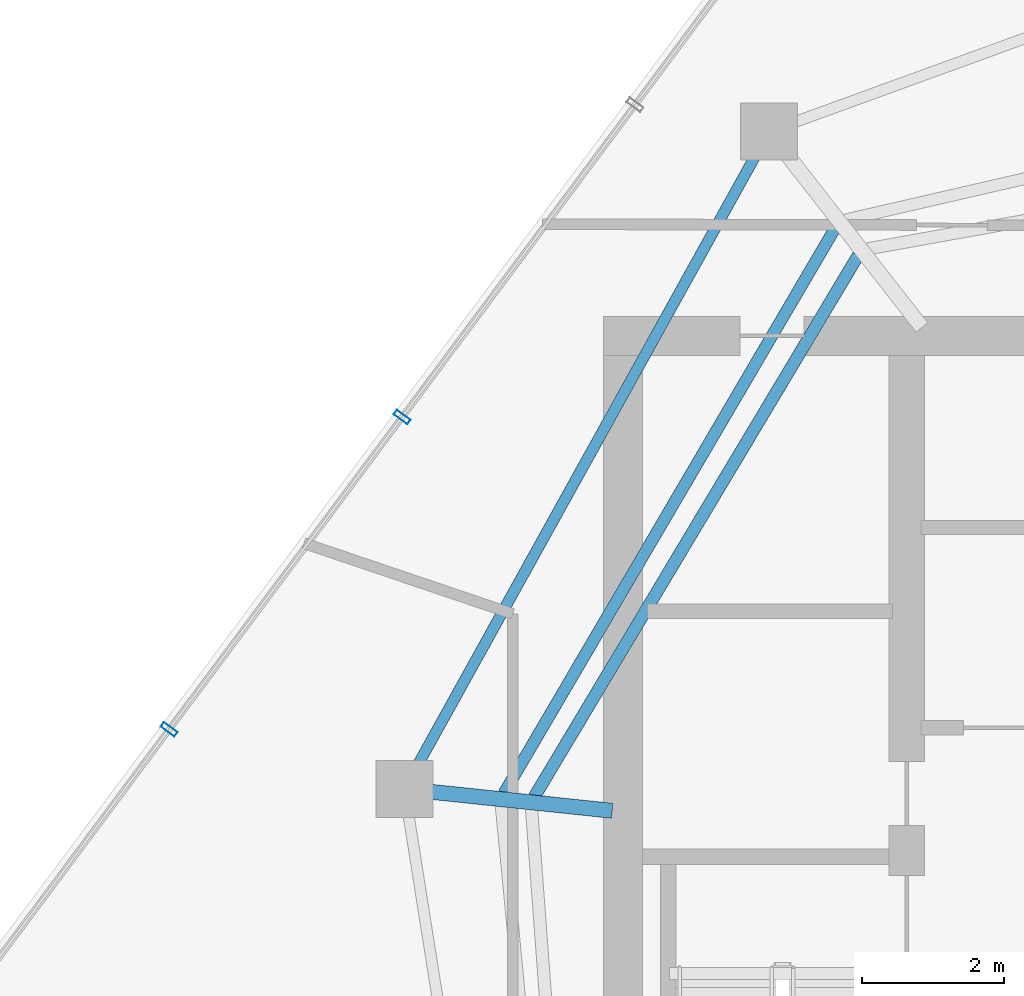
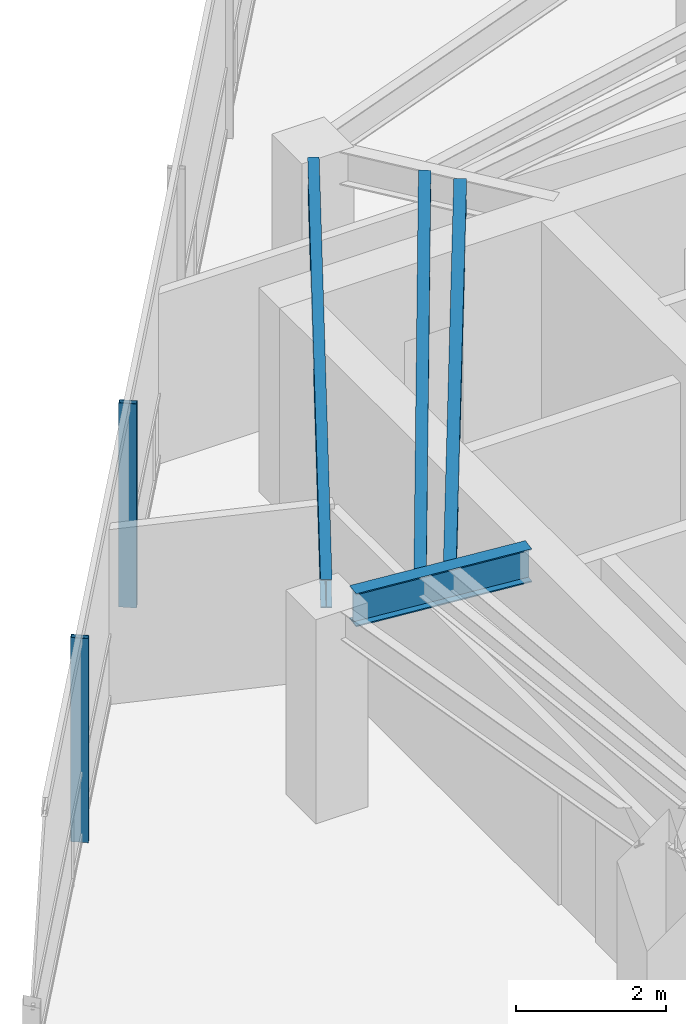
# One storey, part 6 of 18: 4 beams, 2 members, 1 element without a shape of its own.
"""IFC4 building model written with IfcOpenShell, lengths in metres."""

import ifcopenshell
import ifcopenshell.guid

model = None  # the IFC model being written
_history = None  # IfcOwnerHistory: only IFC2X3 demands one
_inside = {}  # id of a spatial element -> (the spatial element, [elements in it])
_under = {}  # id of a project, library or spatial element -> (it, [spatial elements below it])
_declared = {}  # id of a project -> (the project, [libraries it declares])
_typed = {}  # id of a type object -> (the type object, [elements of that type])
_made_of = {}  # id of a material, layer set ... -> (it, [elements and type objects made of it])


def new_model(schema):
    """Start an empty IFC model of exactly this schema.

    Asked for "IFC4X3", IfcOpenShell would pick the latest addendum, in which some entities
    have other attributes; the version numbers below select the first issue.
    IFC2X3 requires an IfcOwnerHistory on every rooted entity: one is made here for all.
    """
    global model, _history
    if schema == "IFC4X3":
        model = ifcopenshell.file(schema_version=(4, 3, 0, 0))
    else:
        model = ifcopenshell.file(schema=schema)
    _inside.clear()
    _under.clear()
    _declared.clear()
    _typed.clear()
    _made_of.clear()
    _history = None
    if model.schema == "IFC2X3":
        org = make("IfcOrganization", Name="unknown")
        user = make(
            "IfcPersonAndOrganization",
            ThePerson=make("IfcPerson", FamilyName="unknown"),
            TheOrganization=org,
        )
        app = make(
            "IfcApplication",
            ApplicationDeveloper=org,
            Version="unknown",
            ApplicationFullName="unknown",
            ApplicationIdentifier="unknown",
        )
        _history = make(
            "IfcOwnerHistory",
            OwningUser=user,
            OwningApplication=app,
            ChangeAction="ADDED",
            CreationDate=0,
        )
    return model


def make(cls, **values):
    """One entity of the class cls with the attributes given. An attribute that is None is left unset."""
    return model.create_entity(
        cls, **{name: value for name, value in values.items() if value is not None}
    )


def rooted(cls, **values):
    """An entity with a GlobalId (a new one), such as an element, a storey or a relation."""
    return make(cls, GlobalId=ifcopenshell.guid.new(), OwnerHistory=_history, **values)


def si_unit(unit_type, name, prefix=None):
    """IfcSIUnit, for example si_unit("LENGTHUNIT", "METRE", prefix="MILLI")."""
    return make("IfcSIUnit", UnitType=unit_type, Prefix=prefix, Name=name)


def assignment(units):
    """IfcUnitAssignment: the units of a project."""
    return None if units is None else make("IfcUnitAssignment", Units=units)


def point(xyz):
    """IfcCartesianPoint."""
    return None if xyz is None else make("IfcCartesianPoint", Coordinates=xyz)


def direction(xyz):
    """IfcDirection."""
    return None if xyz is None else make("IfcDirection", DirectionRatios=xyz)


def frame(location, z_axis=None, x_axis=None):
    """IfcAxis2Placement3D, a coordinate frame: its origin and axes. An axis left out is left unset."""
    return make(
        "IfcAxis2Placement3D",
        Location=point(location),
        Axis=direction(z_axis),
        RefDirection=direction(x_axis),
    )


def frame_2d(location, x_axis=None):
    """IfcAxis2Placement2D, a coordinate frame in the plane: its origin and x axis."""
    return make(
        "IfcAxis2Placement2D", Location=point(location), RefDirection=direction(x_axis)
    )


def origin():
    """The frame at (0, 0, 0) with its axes left unset."""
    return frame((0.0, 0.0, 0.0))


def origin_2d():
    """The frame at (0, 0) in the plane with its x axis left unset."""
    return frame_2d((0.0, 0.0))


def place(relative_to, where):
    """IfcLocalPlacement: puts the frame where relative to a parent placement (None: the world)."""
    return make(
        "IfcLocalPlacement", PlacementRelTo=relative_to, RelativePlacement=where
    )


def context(
    kind, dimensions, precision=None, world=None, true_north=None, identifier=None
):
    """IfcGeometricRepresentationContext, for example the 3D "Model" context."""
    return make(
        "IfcGeometricRepresentationContext",
        ContextIdentifier=identifier,
        ContextType=kind,
        CoordinateSpaceDimension=dimensions,
        Precision=precision,
        WorldCoordinateSystem=world,
        TrueNorth=true_north,
    )


def subcontext(parent, identifier, kind, view, scale=None):
    """IfcGeometricRepresentationSubContext, for example "Body" below "Model"."""
    return make(
        "IfcGeometricRepresentationSubContext",
        ContextIdentifier=identifier,
        ContextType=kind,
        ParentContext=parent,
        TargetScale=scale,
        TargetView=view,
    )


def project(units=None, contexts=None):
    """IfcProject with its units and contexts."""
    return rooted(
        "IfcProject",
        Name="project",
        RepresentationContexts=contexts,
        UnitsInContext=assignment(units),
    )


def spatial(cls, under=None, at=None, **own):
    """A site, building, storey or space (cls), placed at a placement, below another one or the project."""
    s = rooted(cls, ObjectPlacement=at, **own)
    if under is not None:
        _under.setdefault(under.id(), (under, []))[1].append(s)
    return s


def profile(cls, at=None, kind="AREA", **sizes):
    """A parametric profile (cls). Its sizes go by their IFC names, for example OverallWidth=200.0."""
    return make(cls, ProfileType=kind, Position=at, **sizes)


def hollow_rectangle(**sizes):
    """IfcRectangleHollowProfileDef."""
    return profile("IfcRectangleHollowProfileDef", **sizes)


def i_section(**sizes):
    """IfcIShapeProfileDef."""
    return profile("IfcIShapeProfileDef", **sizes)


def extrude(swept, where, along, depth):
    """IfcExtrudedAreaSolid: the profile swept, set in the frame where, extruded along a direction by depth."""
    return make(
        "IfcExtrudedAreaSolid",
        SweptArea=swept,
        Position=where,
        ExtrudedDirection=direction(along),
        Depth=depth,
    )


def shape(context_of_items, identifier, shape_type, items):
    """IfcShapeRepresentation: the items that make up one representation, for example the "Body"."""
    return make(
        "IfcShapeRepresentation",
        ContextOfItems=context_of_items,
        RepresentationIdentifier=identifier,
        RepresentationType=shape_type,
        Items=items,
    )


def material(Name=None, Category=None):
    """IfcMaterial."""
    return make("IfcMaterial", Name=Name, Category=Category)


def layer(
    of_material, thickness, ventilated=None, Name=None, Category=None, Priority=None
):
    """IfcMaterialLayer: one layer of a wall or slab, of a material (None: an air gap)."""
    return make(
        "IfcMaterialLayer",
        Material=of_material,
        LayerThickness=thickness,
        IsVentilated=ventilated,
        Name=Name,
        Category=Category,
        Priority=Priority,
    )


def layer_set(layers, Name=None):
    """IfcMaterialLayerSet."""
    return make("IfcMaterialLayerSet", MaterialLayers=layers, LayerSetName=Name)


def material_profile(
    of_material, cross_section, Name=None, Category=None, Priority=None
):
    """IfcMaterialProfile: a cross section and its material."""
    return make(
        "IfcMaterialProfile",
        Name=Name,
        Material=of_material,
        Profile=cross_section,
        Priority=Priority,
        Category=Category,
    )


def profile_set(profiles, Name=None, composite=None):
    """IfcMaterialProfileSet."""
    return make(
        "IfcMaterialProfileSet",
        Name=Name,
        MaterialProfiles=profiles,
        CompositeProfile=composite,
    )


def made_of(thing, what):
    """Note that an element or type object is made of a material, layer set ...; save() writes the relation."""
    if what is not None:
        _made_of.setdefault(what.id(), (what, []))[1].append(thing)
    return thing


def type_object(cls, material=None, **own):
    """A type object (cls), such as IfcWallType, which elements share."""
    return made_of(rooted(cls, **own), material)


def element(
    cls,
    number,
    at=None,
    inside=None,
    cuts=None,
    type_object=None,
    material=None,
    context=None,
    identifier="Body",
    shape_type=None,
    held_by="IfcProductDefinitionShape",
    body=None,
    shapes=None,
    **own,
):
    """One element of the class cls, such as IfcWall. Its Tag is "e" and its number.

    at: its placement. inside: the storey or other place that contains it. cuts: it is an
    opening in that element (IfcRelVoidsElement). A single representation is given by context,
    identifier, shape_type and body (its items); several are given by shapes. held_by: the class
    of the entity that holds the representations. save() writes the other relations.
    """
    e = rooted(cls, Tag="e%d" % number, ObjectPlacement=at, **own)
    if body is not None:
        shapes = [shape(context, identifier, shape_type, body)]
    if shapes is not None:
        e.Representation = make(held_by, Representations=shapes)
    if inside is not None:
        _inside.setdefault(inside.id(), (inside, []))[1].append(e)
    if cuts is not None:
        rooted(
            "IfcRelVoidsElement", RelatingBuildingElement=cuts, RelatedOpeningElement=e
        )
    if type_object is not None:
        _typed.setdefault(type_object.id(), (type_object, []))[1].append(e)
    return made_of(e, material)


def aggregate(whole, parts):
    """IfcRelAggregates: a whole, such as a stair, and the parts it consists of."""
    return rooted("IfcRelAggregates", RelatingObject=whole, RelatedObjects=parts)


def save(model, path):
    """Write the relations noted so far, then the file.

    IfcRelAggregates (storeys below a building ...), IfcRelContainedInSpatialStructure (elements
    in a storey), IfcRelDefinesByType, IfcRelAssociatesMaterial and IfcRelDeclares: one each for
    every whole, place, type object, material and project.
    """
    for whole, parts in _under.values():
        aggregate(whole, parts)
    for where, things in _inside.values():
        rooted(
            "IfcRelContainedInSpatialStructure",
            RelatedElements=things,
            RelatingStructure=where,
        )
    for kind, things in _typed.values():
        rooted("IfcRelDefinesByType", RelatedObjects=things, RelatingType=kind)
    for what, things in _made_of.values():
        rooted("IfcRelAssociatesMaterial", RelatedObjects=things, RelatingMaterial=what)
    for by, libraries in _declared.values():
        rooted("IfcRelDeclares", RelatingContext=by, RelatedDefinitions=libraries)
    model.write(path)


model = new_model("IFC4")

# Units and contexts
model_context = context("Model", 3, precision=1e-05, world=origin(), true_north=direction((0.0, 1.0)))
body_context = subcontext(model_context, "Body", "Model", "MODEL_VIEW")
ifc_project = project(units=[si_unit("LENGTHUNIT", "METRE"), si_unit("AREAUNIT", "SQUARE_METRE"), si_unit("VOLUMEUNIT", "CUBIC_METRE"), si_unit("PLANEANGLEUNIT", "RADIAN"), si_unit("MASSUNIT", "GRAM", prefix="KILO")], contexts=[model_context])

# Site, building, storey
site_placement = place(None, origin())
site = spatial("IfcSite", under=ifc_project, at=site_placement, CompositionType="ELEMENT")
building_placement = place(site_placement, origin())
building = spatial("IfcBuilding", under=site, at=building_placement, Name="Qarnah Convention Tower", CompositionType="ELEMENT")
storey_placement = place(building_placement, frame((0.0, 0.0, 267.89990234375)))
storey = spatial("IfcBuildingStorey", under=building, at=storey_placement, Name="L72", CompositionType="ELEMENT", Elevation=267.89990234375)

# Beams
ifc_material_1 = material(Name="Structural steel S355JR", Category="steel")
ifc_material_profile_1 = material_profile(ifc_material_1, i_section(OverallWidth=0.166015625, OverallDepth=0.31201171875, WebThickness=0.007080078125, FlangeThickness=0.010986328125, at=origin_2d()), Name="W310X45")
ifc_profile_set_1 = profile_set([ifc_material_profile_1], Name="Structural steel S355JR")
beam_type_1 = type_object("IfcBeamType", Name="BM-JST-W310", PredefinedType="JOIST", material=ifc_profile_set_1)
beam_1_placement = place(storey_placement, frame((29.801025390625, 35.73388671875, 3.1640625), z_axis=(-0.505632134477, -0.862749178258, 0.0), x_axis=(0.862749178258, -0.505632134477, 0.0)))
element("IfcBeam", 1, at=beam_1_placement, inside=storey, type_object=beam_type_1, Name="L72 joist BM-L72-SJST-04", PredefinedType="JOIST", context=body_context, shape_type="SweptSolid", body=[
    extrude(i_section(OverallWidth=0.166015625, OverallDepth=0.31201171875, WebThickness=0.007080078125, FlangeThickness=0.010986328125, at=origin_2d()), origin(), (0.0, 0.0, 1.0), 9.251708984375),
])
ifc_material_profile_2 = material_profile(ifc_material_1, i_section(OverallWidth=0.172119140625, OverallDepth=0.35595703125, WebThickness=0.007080078125, FlangeThickness=0.011962890625, at=origin_2d()), Name="W360X51")
ifc_profile_set_2 = profile_set([ifc_material_profile_2], Name="Structural steel S355JR")
beam_type_2 = type_object("IfcBeamType", Name="BM-JST-W360", PredefinedType="JOIST", material=ifc_profile_set_2)
beam_2_placement = place(storey_placement, frame((30.115966796875, 35.33203125, 3.14208984375), z_axis=(-0.513372127696, -0.858166101932, 0.0), x_axis=(0.858166101932, -0.513372127696, 0.0)))
element("IfcBeam", 2, at=beam_2_placement, inside=storey, type_object=beam_type_2, Name="L72 joist BM-L72-IJST-04", PredefinedType="JOIST", context=body_context, shape_type="SweptSolid", body=[
    extrude(i_section(OverallWidth=0.172119140625, OverallDepth=0.35595703125, WebThickness=0.007080078125, FlangeThickness=0.011962890625, at=origin_2d()), origin(), (0.0, 0.0, 1.0), 8.886474609375),
])
ifc_material_profile_3 = material_profile(ifc_material_1, i_section(OverallWidth=0.2119140625, OverallDepth=0.5400390625, WebThickness=0.011962890625, FlangeThickness=0.01904296875, at=origin_2d()), Name="W530X109")
ifc_profile_set_3 = profile_set([ifc_material_profile_3], Name="Structural steel S355JR")
beam_type_3 = type_object("IfcBeamType", Name="BM-RAD-W530A", PredefinedType="BEAM", material=ifc_profile_set_3)
beam_3_placement = place(storey_placement, frame((26.65087890625, 27.509033203125, 3.050048828125), z_axis=(-0.994564280912, 0.104124402207, 0.0), x_axis=(-0.104124402207, -0.994564280912, 0.0)))
element("IfcBeam", 3, at=beam_3_placement, inside=storey, type_object=beam_type_3, Name="L72 beam BM-L72-RAD-05", PredefinedType="BEAM", context=body_context, shape_type="SweptSolid", body=[
    extrude(i_section(OverallWidth=0.2119140625, OverallDepth=0.5400390625, WebThickness=0.011962890625, FlangeThickness=0.01904296875, at=origin_2d()), origin(), (0.0, 0.0, 1.0), 2.562744140625),
])
ifc_material_profile_4 = material_profile(ifc_material_1, i_section(OverallWidth=0.154052734375, OverallDepth=0.4599609375, WebThickness=0.009033203125, FlangeThickness=0.014892578125, at=origin_2d()), Name="W460X68")
ifc_profile_set_4 = profile_set([ifc_material_profile_4], Name="Structural steel S355JR")
beam_type_4 = type_object("IfcBeamType", Name="BM-SPN-W460B", PredefinedType="SPANDREL", material=ifc_profile_set_4)
beam_4_placement = place(storey_placement, frame((28.6689453125, 36.737060546875, 3.090087890625), z_axis=(-0.48479748752, -0.87462643231, 0.0), x_axis=(0.87462643231, -0.48479748752, 0.0)))
element("IfcBeam", 4, at=beam_4_placement, inside=storey, type_object=beam_type_4, Name="L72 spandrel BM-L72-SPN-04", PredefinedType="SPANDREL", context=body_context, shape_type="SweptSolid", body=[
    extrude(i_section(OverallWidth=0.154052734375, OverallDepth=0.4599609375, WebThickness=0.009033203125, FlangeThickness=0.014892578125, at=origin_2d()), origin(), (0.0, 0.0, 1.0), 9.81005859375),
])

# Curtain wall, members
ifc_material_2 = material(Name="Tempered Low-E dark glass", Category="glass")
ifc_layer = layer(ifc_material_2, 0.176025390625)
ifc_layer_set = layer_set([ifc_layer], Name="Tempered Low-E dark glass")
curtain_wall_type = type_object("IfcCurtainWallType", Name="CWS-05", PredefinedType="NOTDEFINED", material=ifc_layer_set)
curtain_wall_placement = place(storey_placement, origin())
curtain_wall = element("IfcCurtainWall", 5, at=curtain_wall_placement, inside=storey, type_object=curtain_wall_type, Name="L72 unitised curtain wall CW-L72-F2", PredefinedType="NOTDEFINED")
ifc_material_3 = material(Name="Black anodised aluminium", Category="aluminium")
ifc_material_profile_5 = material_profile(ifc_material_3, hollow_rectangle(XDim=0.080078125, YDim=0.239990234375, WallThickness=0.0048828125, at=origin_2d()), Name="MUL-80X240")
ifc_profile_set_5 = profile_set([ifc_material_profile_5], Name="Black anodised aluminium")
member_type = type_object("IfcMemberType", Name="MUL-T5", PredefinedType="MULLION", material=ifc_profile_set_5)
member_1_placement = place(storey_placement, frame((20.4091796875, 28.6552734375, 0.0), z_axis=(0.0, 0.0, 1.0), x_axis=(0.597875477778, 0.801588992609, 0.0)))
member_1 = element("IfcMember", 6, at=member_1_placement, type_object=member_type, Name="CW-L72-F2 mullion 2", PredefinedType="MULLION", context=body_context, shape_type="SweptSolid", body=[
    extrude(hollow_rectangle(XDim=0.080078125, YDim=0.239990234375, WallThickness=0.0048828125, at=origin_2d()), origin(), (0.0, 0.0, 1.0), 3.320068359375),
])
member_2_placement = place(storey_placement, frame((23.6904296875, 33.054443359375, 0.0), z_axis=(0.0, 0.0, 1.0), x_axis=(0.597875477778, 0.801588992609, 0.0)))
member_2 = element("IfcMember", 7, at=member_2_placement, type_object=member_type, Name="CW-L72-F2 mullion 3", PredefinedType="MULLION", context=body_context, shape_type="SweptSolid", body=[
    extrude(hollow_rectangle(XDim=0.080078125, YDim=0.239990234375, WallThickness=0.0048828125, at=origin_2d()), origin(), (0.0, 0.0, 1.0), 3.320068359375),
])
aggregate(curtain_wall, [member_1, member_2])

save(model, "model.ifc")
